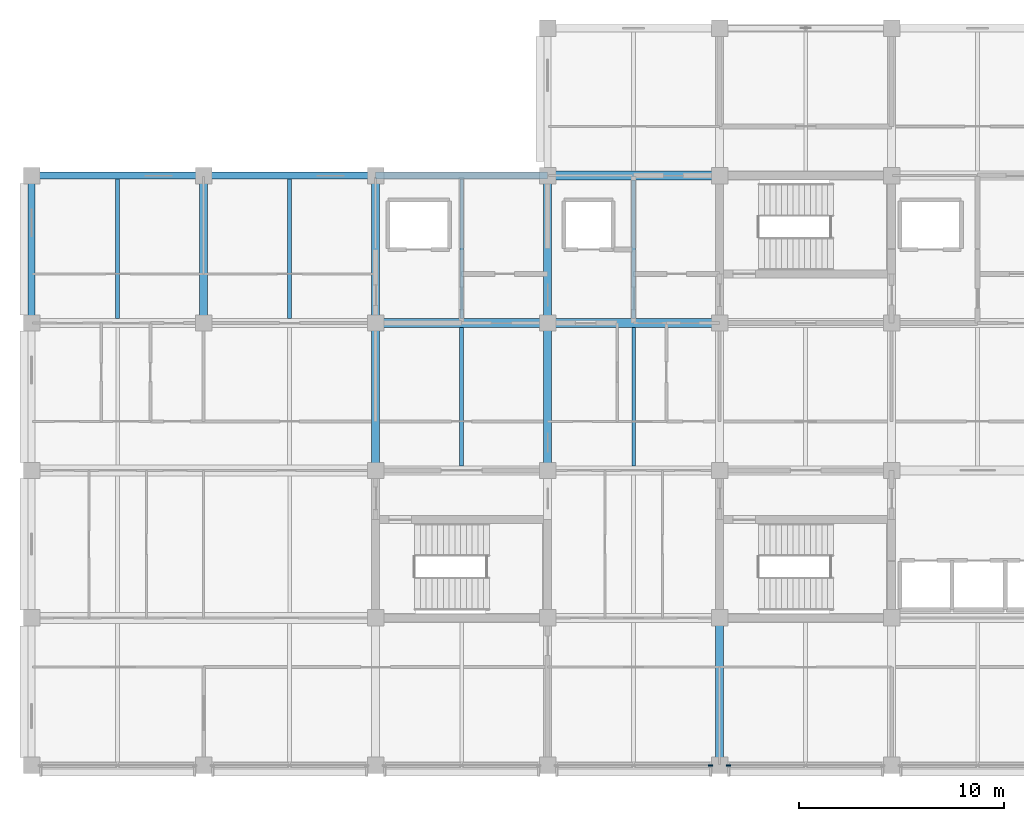
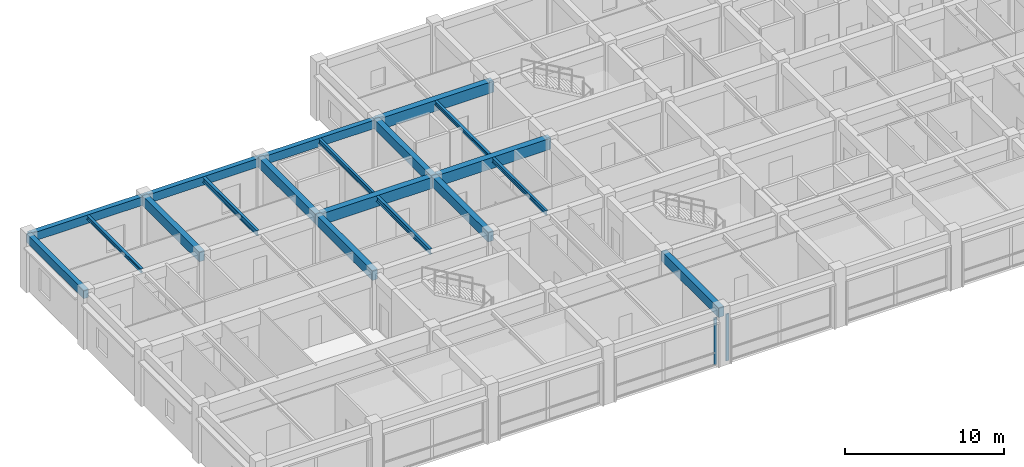
# One storey, part 3 of 30: 19 beams, 2 members, 2 elements without a shape of their own.
"""IFC4 building model written with IfcOpenShell, lengths in metres."""

from ifc_helpers import new_model, si_unit, direction, frame, origin, origin_2d, place, context, subcontext, project, spatial, rectangle, i_section, extrude, material, layer, layer_set, material_profile, profile_set, type_object, element, aggregate, save


model = new_model("IFC4")

# Units and contexts
model_context = context("Model", 3, precision=1e-05, world=origin(), true_north=direction((0.0, 1.0)))
body_context = subcontext(model_context, "Body", "Model", "MODEL_VIEW")
ifc_project = project(units=[si_unit("LENGTHUNIT", "METRE"), si_unit("AREAUNIT", "SQUARE_METRE"), si_unit("VOLUMEUNIT", "CUBIC_METRE"), si_unit("PLANEANGLEUNIT", "RADIAN"), si_unit("MASSUNIT", "GRAM", prefix="KILO")], contexts=[model_context])

# Site, building, storey
site_placement = place(None, origin())
site = spatial("IfcSite", under=ifc_project, at=site_placement, CompositionType="ELEMENT")
building_placement = place(site_placement, origin())
building = spatial("IfcBuilding", under=site, at=building_placement, Name="Chengyuan Square Courthouse", CompositionType="ELEMENT")
storey_placement = place(building_placement, frame((0.0, 0.0, 26.10009765625)))
storey = spatial("IfcBuildingStorey", under=building, at=storey_placement, Name="L06", CompositionType="ELEMENT", Elevation=26.10009765625)

# Beams
ifc_material_1 = material(Name="Concrete C40", Category="concrete")
ifc_material_profile_1 = material_profile(ifc_material_1, rectangle(XDim=0.449951171875, YDim=0.85009765625, at=origin_2d()), Name="RC-BM-450x850")
ifc_profile_set_1 = profile_set([ifc_material_profile_1], Name="Concrete C40")
beam_type_1 = type_object("IfcBeamType", Name="BM-01", PredefinedType="USERDEFINED", material=ifc_profile_set_1)
beam_1_placement = place(storey_placement, frame((42.0, 100.800048828125, 3.81494140625), z_axis=(1.0, 0.0, 0.0), x_axis=(0.0, 1.0, 0.0)))
element("IfcBeam", 1, at=beam_1_placement, inside=storey, type_object=beam_type_1, Name="Girder BM-L06-3426", ObjectType="GIRDER", PredefinedType="USERDEFINED", context=body_context, shape_type="SweptSolid", body=[
    extrude(rectangle(XDim=0.449951171875, YDim=0.85009765625, at=origin_2d()), origin(), (0.0, 0.0, 1.0), 8.39990234375),
])
for number, where, z_axis, x_axis, name in (
    (2, (50.39990234375, 100.800048828125, 3.81494140625), (1.0, 0.0, 0.0), (0.0, 1.0, 0.0), "Girder BM-L06-3427"),
    (3, (50.39990234375, 108.0, 3.81494140625), (1.0, 0.0, 0.0), (0.0, 1.0, 0.0), "Girder BM-L06-3441"),
):
    element("IfcBeam", number, at=place(storey_placement, frame(where, z_axis=z_axis, x_axis=x_axis)), inside=storey, type_object=beam_type_1, Name=name, ObjectType="GIRDER", PredefinedType="USERDEFINED", context=body_context, shape_type="SweptSolid", body=[
        extrude(rectangle(XDim=0.449951171875, YDim=0.85009765625, at=origin_2d()), origin(), (0.0, 0.0, 1.0), 8.400146484375),
    ])
ifc_material_profile_2 = material_profile(ifc_material_1, rectangle(XDim=0.39990234375, YDim=0.75, at=origin_2d()), Name="RC-BM-400x750")
ifc_profile_set_2 = profile_set([ifc_material_profile_2], Name="Concrete C40")
beam_type_2 = type_object("IfcBeamType", Name="BM-02", PredefinedType="USERDEFINED", material=ifc_profile_set_2)
for number, where, z_axis, x_axis, name in (
    (4, (33.60009765625, 100.800048828125, 3.864990234375), (0.0, 1.0, 0.0), (-1.0, 0.0, 0.0), "Girder BM-L06-3464"),
    (5, (42.0, 93.60009765625, 3.864990234375), (0.0, 1.0, 0.0), (-1.0, 0.0, 0.0), "Girder BM-L06-3467"),
    (6, (42.0, 100.800048828125, 3.864990234375), (0.0, 1.0, 0.0), (-1.0, 0.0, 0.0), "Girder BM-L06-3468"),
    (7, (50.39990234375, 93.60009765625, 3.864990234375), (0.0, 1.0, 0.0), (-1.0, 0.0, 0.0), "Girder BM-L06-3471"),
    (8, (50.39990234375, 100.800048828125, 3.864990234375), (0.0, 1.0, 0.0), (-1.0, 0.0, 0.0), "Girder BM-L06-3472"),
    (9, (58.800048828125, 79.199951171875, 3.864990234375), (0.0, 1.0, 0.0), (-1.0, 0.0, 0.0), "Girder BM-L06-3474"),
):
    element("IfcBeam", number, at=place(storey_placement, frame(where, z_axis=z_axis, x_axis=x_axis)), inside=storey, type_object=beam_type_2, Name=name, ObjectType="GIRDER", PredefinedType="USERDEFINED", context=body_context, shape_type="SweptSolid", body=[
        extrude(rectangle(XDim=0.39990234375, YDim=0.75, at=origin_2d()), origin(), (0.0, 0.0, 1.0), 7.199951171875),
    ])
ifc_material_profile_3 = material_profile(ifc_material_1, rectangle(XDim=0.35009765625, YDim=0.64990234375, at=origin_2d()), Name="RC-BM-350x650")
ifc_profile_set_3 = profile_set([ifc_material_profile_3], Name="Concrete C40")
beam_type_3 = type_object("IfcBeamType", Name="BM-03", PredefinedType="SPANDREL", material=ifc_profile_set_3)
beam_2_placement = place(storey_placement, frame((25.199951171875, 108.0, 3.914794921875), z_axis=(1.0, 0.0, 0.0), x_axis=(0.0, 1.0, 0.0)))
element("IfcBeam", 10, at=beam_2_placement, inside=storey, type_object=beam_type_3, Name="Girder BM-L06-3438", PredefinedType="SPANDREL", context=body_context, shape_type="SweptSolid", body=[
    extrude(rectangle(XDim=0.35009765625, YDim=0.64990234375, at=origin_2d()), origin(), (0.0, 0.0, 1.0), 8.400146484375),
])
for number, where, z_axis, x_axis, name in (
    (11, (33.60009765625, 108.0, 3.914794921875), (1.0, 0.0, 0.0), (0.0, 1.0, 0.0), "Girder BM-L06-3439"),
    (12, (42.0, 108.0, 3.914794921875), (1.0, 0.0, 0.0), (0.0, 1.0, 0.0), "Girder BM-L06-3440"),
):
    element("IfcBeam", number, at=place(storey_placement, frame(where, z_axis=z_axis, x_axis=x_axis)), inside=storey, type_object=beam_type_3, Name=name, PredefinedType="SPANDREL", context=body_context, shape_type="SweptSolid", body=[
        extrude(rectangle(XDim=0.35009765625, YDim=0.64990234375, at=origin_2d()), origin(), (0.0, 0.0, 1.0), 8.39990234375),
    ])
beam_3_placement = place(storey_placement, frame((25.199951171875, 100.800048828125, 3.914794921875), z_axis=(0.0, 1.0, 0.0), x_axis=(-1.0, 0.0, 0.0)))
element("IfcBeam", 13, at=beam_3_placement, inside=storey, type_object=beam_type_3, Name="Girder BM-L06-3463", PredefinedType="SPANDREL", context=body_context, shape_type="SweptSolid", body=[
    extrude(rectangle(XDim=0.35009765625, YDim=0.64990234375, at=origin_2d()), origin(), (0.0, 0.0, 1.0), 7.199951171875),
])
ifc_material_2 = material(Name="Steel Q355B", Category="steel")
ifc_material_profile_4 = material_profile(ifc_material_2, i_section(OverallWidth=0.199951171875, OverallDepth=0.39990234375, WebThickness=0.008056640625, FlangeThickness=0.012939453125, at=origin_2d()), Name="HN 400x200x8x13")
ifc_profile_set_4 = profile_set([ifc_material_profile_4], Name="Steel Q355B")
beam_type_4 = type_object("IfcBeamType", Name="BM-07", PredefinedType="BEAM", material=ifc_profile_set_4)
beam_4_placement = place(storey_placement, frame((37.800048828125, 101.02490234375, 4.039794921875), z_axis=(0.0, 1.0, 0.0), x_axis=(-1.0, 0.0, 0.0)))
element("IfcBeam", 14, at=beam_4_placement, inside=storey, type_object=beam_type_4, Name="Secondary Floor Beam SBM-L06-3530", PredefinedType="BEAM", context=body_context, shape_type="SweptSolid", body=[
    extrude(i_section(OverallWidth=0.199951171875, OverallDepth=0.39990234375, WebThickness=0.008056640625, FlangeThickness=0.012939453125, at=origin_2d()), origin(), (0.0, 0.0, 1.0), 6.800048828125),
])
beam_5_placement = place(storey_placement, frame((46.199951171875, 93.824951171875, 4.039794921875), z_axis=(0.0, 1.0, 0.0), x_axis=(-1.0, 0.0, 0.0)))
element("IfcBeam", 15, at=beam_5_placement, inside=storey, type_object=beam_type_4, Name="Secondary Floor Beam SBM-L06-3532", PredefinedType="BEAM", context=body_context, shape_type="SweptSolid", body=[
    extrude(i_section(OverallWidth=0.199951171875, OverallDepth=0.39990234375, WebThickness=0.008056640625, FlangeThickness=0.012939453125, at=origin_2d()), origin(), (0.0, 0.0, 1.0), 6.75),
])
ifc_material_profile_5 = material_profile(ifc_material_2, i_section(OverallWidth=0.175048828125, OverallDepth=0.35009765625, WebThickness=0.007080078125, FlangeThickness=0.010986328125, at=origin_2d()), Name="HN 350x175x7x11")
ifc_profile_set_5 = profile_set([ifc_material_profile_5], Name="Steel Q355B")
beam_type_5 = type_object("IfcBeamType", Name="BM-08", PredefinedType="BEAM", material=ifc_profile_set_5)
beam_6_placement = place(storey_placement, frame((46.199951171875, 101.02490234375, 4.06494140625), z_axis=(0.0, 1.0, 0.0), x_axis=(-1.0, 0.0, 0.0)))
element("IfcBeam", 16, at=beam_6_placement, inside=storey, type_object=beam_type_5, Name="Secondary Floor Beam SBM-L06-3533", PredefinedType="BEAM", context=body_context, shape_type="SweptSolid", body=[
    extrude(i_section(OverallWidth=0.175048828125, OverallDepth=0.35009765625, WebThickness=0.007080078125, FlangeThickness=0.010986328125, at=origin_2d()), origin(), (0.0, 0.0, 1.0), 6.800048828125),
])
beam_7_placement = place(storey_placement, frame((54.60009765625, 93.824951171875, 4.06494140625), z_axis=(0.0, 1.0, 0.0), x_axis=(-1.0, 0.0, 0.0)))
element("IfcBeam", 17, at=beam_7_placement, inside=storey, type_object=beam_type_5, Name="Secondary Floor Beam SBM-L06-3536", PredefinedType="BEAM", context=body_context, shape_type="SweptSolid", body=[
    extrude(i_section(OverallWidth=0.175048828125, OverallDepth=0.35009765625, WebThickness=0.007080078125, FlangeThickness=0.010986328125, at=origin_2d()), origin(), (0.0, 0.0, 1.0), 6.75),
])
ifc_material_profile_6 = material_profile(ifc_material_2, i_section(OverallWidth=0.199951171875, OverallDepth=0.300048828125, WebThickness=0.008056640625, FlangeThickness=0.011962890625, at=origin_2d()), Name="HM 300x200x8x12")
ifc_profile_set_6 = profile_set([ifc_material_profile_6], Name="Steel Q355B")
beam_type_6 = type_object("IfcBeamType", Name="BM-09", PredefinedType="BEAM", material=ifc_profile_set_6)
beam_8_placement = place(storey_placement, frame((29.39990234375, 101.02490234375, 4.08984375), z_axis=(0.0, 1.0, 0.0), x_axis=(-1.0, 0.0, 0.0)))
element("IfcBeam", 18, at=beam_8_placement, inside=storey, type_object=beam_type_6, Name="Secondary Floor Beam SBM-L06-3526", PredefinedType="BEAM", context=body_context, shape_type="SweptSolid", body=[
    extrude(i_section(OverallWidth=0.199951171875, OverallDepth=0.300048828125, WebThickness=0.008056640625, FlangeThickness=0.011962890625, at=origin_2d()), origin(), (0.0, 0.0, 1.0), 6.800048828125),
])
beam_9_placement = place(storey_placement, frame((54.60009765625, 101.02490234375, 4.08984375), z_axis=(0.0, 1.0, 0.0), x_axis=(-1.0, 0.0, 0.0)))
element("IfcBeam", 19, at=beam_9_placement, inside=storey, type_object=beam_type_6, Name="Secondary Floor Beam SBM-L06-3537", PredefinedType="BEAM", context=body_context, shape_type="SweptSolid", body=[
    extrude(i_section(OverallWidth=0.199951171875, OverallDepth=0.300048828125, WebThickness=0.008056640625, FlangeThickness=0.011962890625, at=origin_2d()), origin(), (0.0, 0.0, 1.0), 6.75),
])

# Curtain wall, member
ifc_material_3 = material(Name="Unitised Aluminium and Triple Low-E Glass", Category="aluminium")
ifc_layer = layer(ifc_material_3, 0.219970703125)
ifc_layer_set = layer_set([ifc_layer], Name="Unitised Aluminium and Triple Low-E Glass")
curtain_wall_type = type_object("IfcCurtainWallType", Name="CW-16", PredefinedType="USERDEFINED", material=ifc_layer_set)
curtain_wall_1_placement = place(storey_placement, origin())
curtain_wall_1 = element("IfcCurtainWall", 20, at=curtain_wall_1_placement, inside=storey, type_object=curtain_wall_type, Name="Unitised Curtain Wall CW-L06-186", ObjectType="UNITISED CURTAIN WALL", PredefinedType="USERDEFINED")
ifc_material_4 = material(Name="Aluminium 6063-T6 Frame", Category="aluminium")
ifc_material_profile_7 = material_profile(ifc_material_4, rectangle(XDim=0.080078125, YDim=0.219970703125, at=origin_2d()), Name="CW-MUL-80x220")
ifc_profile_set_7 = profile_set([ifc_material_profile_7], Name="Aluminium 6063-T6 Frame")
member_type = type_object("IfcMemberType", Name="CWM-04", PredefinedType="MULLION", material=ifc_profile_set_7)
member_1_placement = place(storey_placement, frame((58.360107421875, 79.199951171875, 0.0), z_axis=(0.0, 0.0, 1.0), x_axis=(0.0, 1.0, 0.0)))
member_1 = element("IfcMember", 21, at=member_1_placement, type_object=member_type, Name="CW-16 mullion 3", PredefinedType="MULLION", context=body_context, shape_type="SweptSolid", body=[
    extrude(rectangle(XDim=0.080078125, YDim=0.219970703125, at=origin_2d()), origin(), (0.0, 0.0, 1.0), 3.58984375),
])
aggregate(curtain_wall_1, [member_1])

curtain_wall_2_placement = place(storey_placement, origin())
curtain_wall_2 = element("IfcCurtainWall", 22, at=curtain_wall_2_placement, inside=storey, type_object=curtain_wall_type, Name="Unitised Curtain Wall CW-L06-187", ObjectType="UNITISED CURTAIN WALL", PredefinedType="USERDEFINED")
member_2_placement = place(storey_placement, frame((59.239990234375, 79.199951171875, 0.0), z_axis=(0.0, 0.0, 1.0), x_axis=(0.0, 1.0, 0.0)))
member_2 = element("IfcMember", 23, at=member_2_placement, type_object=member_type, Name="CW-16 mullion 1", PredefinedType="MULLION", context=body_context, shape_type="SweptSolid", body=[
    extrude(rectangle(XDim=0.080078125, YDim=0.219970703125, at=origin_2d()), origin(), (0.0, 0.0, 1.0), 3.58984375),
])
aggregate(curtain_wall_2, [member_2])

save(model, "model.ifc")
